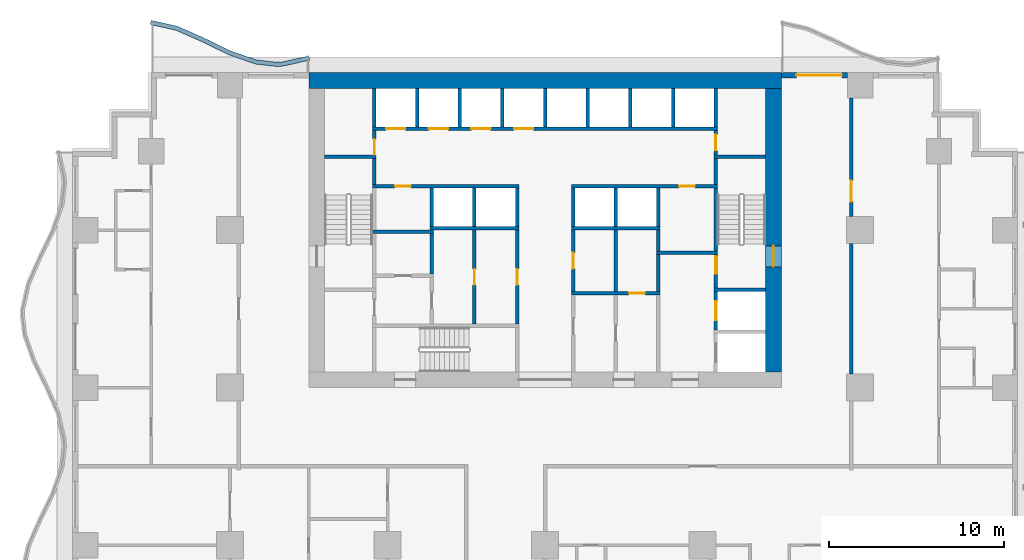
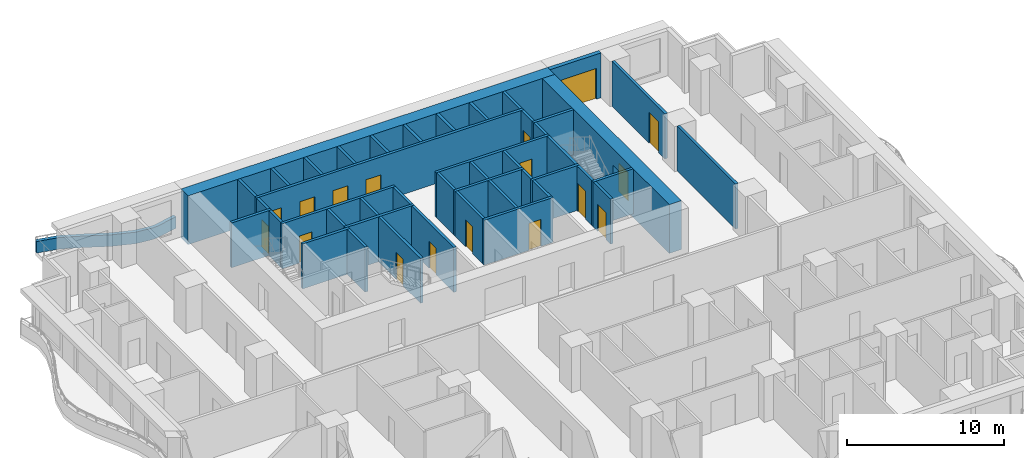
# One storey, part 6 of 14: 46 walls, 17 doors, 17 openings.
"""IFC4 building model written with IfcOpenShell, lengths in metres."""

from ifc_helpers import new_model, si_unit, direction, frame, frame_2d, origin, place, context, subcontext, project, spatial, polyline, rectangle, outline, extrude, material, layer, layer_set, type_object, element, fill, save


model = new_model("IFC4")

# Units and contexts
model_context = context("Model", 3, precision=1e-05, world=origin(), true_north=direction((0.0, 1.0)))
body_context = subcontext(model_context, "Body", "Model", "MODEL_VIEW")
ifc_project = project(units=[si_unit("LENGTHUNIT", "METRE"), si_unit("AREAUNIT", "SQUARE_METRE"), si_unit("VOLUMEUNIT", "CUBIC_METRE"), si_unit("PLANEANGLEUNIT", "RADIAN"), si_unit("MASSUNIT", "GRAM", prefix="KILO")], contexts=[model_context])

# Site, building, storey
site_placement = place(None, origin())
site = spatial("IfcSite", under=ifc_project, at=site_placement, CompositionType="ELEMENT")
building_placement = place(site_placement, origin())
building = spatial("IfcBuilding", under=site, at=building_placement, Name="Orbiselva Terraces", CompositionType="ELEMENT")
storey_placement = place(building_placement, frame((0.0, 0.0, 34.0)))
storey = spatial("IfcBuildingStorey", under=building, at=storey_placement, Name="L08", CompositionType="ELEMENT", Elevation=34.0)

# Wall, opening, door
ifc_material_1 = material(Name="Concrete C80/95", Category="concrete")
ifc_layer_1 = layer(ifc_material_1, 0.9)
ifc_layer_set_1 = layer_set([ifc_layer_1], Name="Concrete C80/95")
wall_type_1 = type_object("IfcWallType", Name="CORE WALL 900", PredefinedType="SHEAR", material=ifc_layer_set_1)
wall_1_placement = place(storey_placement, frame((13.05, 5.4, -0.3), z_axis=(0.0, 0.0, 1.0), x_axis=(0.0, 1.0, 0.0)))
wall_1 = element("IfcWall", 1, at=wall_1_placement, inside=storey, type_object=wall_type_1, Name="Core wall L08 east", PredefinedType="SHEAR", context=body_context, shape_type="SweptSolid", body=[
    extrude(rectangle(XDim=16.2, YDim=0.9, at=frame_2d((8.1, 0.0))), origin(), (0.0, 0.0, 1.0), 3.8),
])
opening_1_placement = place(wall_1_placement, frame((6.0, 0.0, 0.3)))
opening_1 = element("IfcOpeningElement", 2, at=opening_1_placement, cuts=wall_1, Name="Opening DS1200", PredefinedType="OPENING", context=body_context, shape_type="SweptSolid", body=[
    extrude(rectangle(XDim=1.2, YDim=2.2, at=frame_2d((0.6, 1.1))), frame((0.0, 0.46, 0.0), z_axis=(0.0, -1.0, 0.0), x_axis=(1.0, 0.0, 0.0)), (0.0, 0.0, 1.0), 0.92),
])
ifc_material_2 = material(Name="Steel fire door", Category="steel")
door_type_1 = type_object("IfcDoorType", Name="STAIR DOOR 1200", OperationType="NOTDEFINED", PredefinedType="DOOR", material=ifc_material_2)
door_1_placement = place(opening_1_placement, frame((1.2, 0.0, 0.0), z_axis=(0.0, 0.0, 1.0), x_axis=(-1.0, 0.0, 0.0)))
door_1 = element("IfcDoor", 3, at=door_1_placement, inside=storey, type_object=door_type_1, Name="L08 EXIT STAIR S2 door", OperationType="SINGLE_SWING_LEFT", OverallHeight=2.2, OverallWidth=1.2, PredefinedType="DOOR", context=body_context, shape_type="SweptSolid", body=[
    extrude(rectangle(XDim=1.2, YDim=2.2, at=frame_2d((0.6, 1.1))), frame((0.0, 0.025, 0.0), z_axis=(0.0, -1.0, 0.0), x_axis=(1.0, 0.0, 0.0)), (0.0, 0.0, 1.0), 0.05),
])
fill(opening_1, door_1)

# Wall
ifc_layer_2 = layer(ifc_material_1, 0.9)
ifc_layer_set_2 = layer_set([ifc_layer_2], Name="Concrete C80/95")
wall_type_2 = type_object("IfcWallType", Name="CORE WALL 900 EXTERNAL", PredefinedType="SHEAR", material=ifc_layer_set_2)
wall_2_placement = place(storey_placement, frame((13.5, 22.05, -0.3), z_axis=(0.0, 0.0, 1.0), x_axis=(-1.0, 0.0, 0.0)))
element("IfcWall", 4, at=wall_2_placement, inside=storey, type_object=wall_type_2, Name="Core wall L08 north", PredefinedType="SHEAR", context=body_context, shape_type="SweptSolid", body=[
    extrude(rectangle(XDim=27.0, YDim=0.9, at=frame_2d((13.5, 0.0))), origin(), (0.0, 0.0, 1.0), 3.8),
])

# Wall, opening, door
ifc_material_3 = material(Name="Masonry blockwork", Category="masonry")
ifc_layer_3 = layer(ifc_material_3, 0.2)
ifc_layer_set_3 = layer_set([ifc_layer_3], Name="Masonry blockwork")
wall_type_3 = type_object("IfcWallType", Name="CORE-WALL-PARTITION-200", PredefinedType="PARTITIONING", material=ifc_layer_set_3)
wall_3_placement = place(storey_placement, frame((-9.75, 17.8, 0.0), z_axis=(0.0, 0.0, 1.0), x_axis=(0.0, 1.0, 0.0)))
wall_3 = element("IfcWall", 5, at=wall_3_placement, inside=storey, type_object=wall_type_3, Name="L08 core wall 13", PredefinedType="PARTITIONING", context=body_context, shape_type="SweptSolid", body=[
    extrude(rectangle(XDim=1.4, YDim=0.2, at=frame_2d((0.7, 0.0))), origin(), (0.0, 0.0, 1.0), 3.5),
])
opening_2_placement = place(wall_3_placement, origin())
opening_2 = element("IfcOpeningElement", 6, at=opening_2_placement, cuts=wall_3, Name="Opening DR900", PredefinedType="OPENING", context=body_context, shape_type="SweptSolid", body=[
    extrude(rectangle(XDim=0.9, YDim=2.1, at=frame_2d((0.45, 1.05))), frame((0.0, 0.11, 0.0), z_axis=(0.0, -1.0, 0.0), x_axis=(1.0, 0.0, 0.0)), (0.0, 0.0, 1.0), 0.22),
])
door_type_2 = type_object("IfcDoorType", Name="ROOM DOOR 900", OperationType="NOTDEFINED", PredefinedType="DOOR", material=ifc_material_2)
door_2_placement = place(opening_2_placement, origin())
door_2 = element("IfcDoor", 7, at=door_2_placement, inside=storey, type_object=door_type_2, Name="L08 COMMS RISER ROOM door", OperationType="SINGLE_SWING_LEFT", OverallHeight=2.1, OverallWidth=0.9, PredefinedType="DOOR", context=body_context, shape_type="SweptSolid", body=[
    extrude(rectangle(XDim=0.9, YDim=2.1, at=frame_2d((0.45, 1.05))), frame((0.0, 0.025, 0.0), z_axis=(0.0, -1.0, 0.0), x_axis=(1.0, 0.0, 0.0)), (0.0, 0.0, 1.0), 0.05),
])
fill(opening_2, door_2)

# Wall
wall_4_placement = place(storey_placement, frame((-6.475, 11.0, 0.0), z_axis=(0.0, 0.0, 1.0), x_axis=(0.0, 1.0, 0.0)))
element("IfcWall", 8, at=wall_4_placement, inside=storey, type_object=wall_type_3, Name="L08 core wall 18", PredefinedType="PARTITIONING", context=body_context, shape_type="SweptSolid", body=[
    extrude(rectangle(XDim=2.3, YDim=0.2, at=frame_2d((1.15, 0.0))), origin(), (0.0, 0.0, 1.0), 3.5),
])

# Wall, opening, door
wall_5_placement = place(storey_placement, frame((-4.0375, 8.15, 0.0), z_axis=(0.0, 0.0, 1.0), x_axis=(0.0, 1.0, 0.0)))
wall_5 = element("IfcWall", 9, at=wall_5_placement, inside=storey, type_object=wall_type_3, Name="L08 core wall 22", PredefinedType="PARTITIONING", context=body_context, shape_type="SweptSolid", body=[
    extrude(rectangle(XDim=5.35, YDim=0.2, at=frame_2d((2.675, 0.0))), origin(), (0.0, 0.0, 1.0), 3.5),
])
opening_3_placement = place(wall_5_placement, frame((2.225, 0.0, 0.0)))
opening_3 = element("IfcOpeningElement", 10, at=opening_3_placement, cuts=wall_5, Name="Opening DR900", PredefinedType="OPENING", context=body_context, shape_type="SweptSolid", body=[
    extrude(rectangle(XDim=0.9, YDim=2.1, at=frame_2d((0.45, 1.05))), frame((0.0, 0.11, 0.0), z_axis=(0.0, -1.0, 0.0), x_axis=(1.0, 0.0, 0.0)), (0.0, 0.0, 1.0), 0.22),
])
door_3_placement = place(opening_3_placement, origin())
door_3 = element("IfcDoor", 11, at=door_3_placement, inside=storey, type_object=door_type_2, Name="L08 BUILDING STORE door", OperationType="SINGLE_SWING_RIGHT", OverallHeight=2.1, OverallWidth=0.9, PredefinedType="DOOR", context=body_context, shape_type="SweptSolid", body=[
    extrude(rectangle(XDim=0.9, YDim=2.1, at=frame_2d((0.45, 1.05))), frame((0.0, 0.025, 0.0), z_axis=(0.0, -1.0, 0.0), x_axis=(1.0, 0.0, 0.0)), (0.0, 0.0, 1.0), 0.05),
])
fill(opening_3, door_3)

# Walls
wall_6_placement = place(storey_placement, frame((4.0375, 10.0, 0.0), z_axis=(0.0, 0.0, 1.0), x_axis=(0.0, 1.0, 0.0)))
element("IfcWall", 12, at=wall_6_placement, inside=storey, type_object=wall_type_3, Name="L08 core wall 37", PredefinedType="PARTITIONING", context=body_context, shape_type="SweptSolid", body=[
    extrude(rectangle(XDim=3.5, YDim=0.2, at=frame_2d((1.75, 0.0))), origin(), (0.0, 0.0, 1.0), 3.5),
])
wall_7_placement = place(storey_placement, frame((6.475, 12.3, 0.0), z_axis=(0.0, 0.0, 1.0), x_axis=(0.0, 1.0, 0.0)))
element("IfcWall", 13, at=wall_7_placement, inside=storey, type_object=wall_type_3, Name="L08 core wall 43", PredefinedType="PARTITIONING", context=body_context, shape_type="SweptSolid", body=[
    extrude(rectangle(XDim=1.2, YDim=0.2, at=frame_2d((0.6, 0.0))), origin(), (0.0, 0.0, 1.0), 3.5),
])

# Wall, opening, door
wall_8_placement = place(storey_placement, frame((9.75, 19.2, 0.0), z_axis=(0.0, 0.0, 1.0), x_axis=(0.0, -1.0, 0.0)))
wall_8 = element("IfcWall", 14, at=wall_8_placement, inside=storey, type_object=wall_type_3, Name="L08 core wall 54", PredefinedType="PARTITIONING", context=body_context, shape_type="SweptSolid", body=[
    extrude(rectangle(XDim=1.4, YDim=0.2, at=frame_2d((0.7, 0.0))), origin(), (0.0, 0.0, 1.0), 3.5),
])
opening_4_placement = place(wall_8_placement, frame((0.25, 0.0, 0.0)))
opening_4 = element("IfcOpeningElement", 15, at=opening_4_placement, cuts=wall_8, Name="Opening DR900", PredefinedType="OPENING", context=body_context, shape_type="SweptSolid", body=[
    extrude(rectangle(XDim=0.9, YDim=2.1, at=frame_2d((0.45, 1.05))), frame((0.0, 0.11, 0.0), z_axis=(0.0, -1.0, 0.0), x_axis=(1.0, 0.0, 0.0)), (0.0, 0.0, 1.0), 0.22),
])
door_4_placement = place(opening_4_placement, origin())
door_4 = element("IfcDoor", 16, at=door_4_placement, inside=storey, type_object=door_type_2, Name="L08 ELECTRICAL RISER ROOM door", OperationType="SINGLE_SWING_RIGHT", OverallHeight=2.1, OverallWidth=0.9, PredefinedType="DOOR", context=body_context, shape_type="SweptSolid", body=[
    extrude(rectangle(XDim=0.9, YDim=2.1, at=frame_2d((0.45, 1.05))), frame((0.0, 0.025, 0.0), z_axis=(0.0, -1.0, 0.0), x_axis=(1.0, 0.0, 0.0)), (0.0, 0.0, 1.0), 0.05),
])
fill(opening_4, door_4)

# Walls
ifc_material_4 = material(Name="Concrete C40/50", Category="concrete")
ifc_layer_4 = layer(ifc_material_4, 0.2)
ifc_layer_set_4 = layer_set([ifc_layer_4], Name="Concrete C40/50")
wall_type_4 = type_object("IfcWallType", Name="CORE-WALL-SHAFT-200", PredefinedType="PARTITIONING", material=ifc_layer_set_4)
for number, where, z_axis, x_axis, name in (
    (17, (-9.75, 19.4, 0.0), (0.0, 0.0, 1.0), (0.0, 1.0, 0.0), "L08 core wall 15"),
    (18, (-7.3125, 19.4, 0.0), (0.0, 0.0, 1.0), (0.0, 1.0, 0.0), "L08 core wall 16"),
    (19, (-6.475, 13.7, 0.0), (0.0, 0.0, 1.0), (0.0, 1.0, 0.0), "L08 core wall 20"),
    (20, (-4.875, 19.4, 0.0), (0.0, 0.0, 1.0), (0.0, 1.0, 0.0), "L08 core wall 21"),
    (21, (-4.0375, 13.7, 0.0), (0.0, 0.0, 1.0), (0.0, 1.0, 0.0), "L08 core wall 23"),
    (22, (-2.4375, 19.4, 0.0), (0.0, 0.0, 1.0), (0.0, 1.0, 0.0), "L08 core wall 24"),
    (23, (-1.6, 13.7, 0.0), (0.0, 0.0, 1.0), (0.0, 1.0, 0.0), "L08 core wall 27"),
    (24, (0.0, 19.4, 0.0), (0.0, 0.0, 1.0), (0.0, 1.0, 0.0), "L08 core wall 28"),
    (25, (1.6, 13.7, 0.0), (0.0, 0.0, 1.0), (0.0, 1.0, 0.0), "L08 core wall 33"),
    (26, (2.4375, 19.4, 0.0), (0.0, 0.0, 1.0), (0.0, 1.0, 0.0), "L08 core wall 35"),
    (27, (4.0375, 13.7, 0.0), (0.0, 0.0, 1.0), (0.0, 1.0, 0.0), "L08 core wall 38"),
    (28, (4.875, 19.4, 0.0), (0.0, 0.0, 1.0), (0.0, 1.0, 0.0), "L08 core wall 39"),
    (29, (6.475, 13.7, 0.0), (0.0, 0.0, 1.0), (0.0, 1.0, 0.0), "L08 core wall 44"),
    (30, (7.3125, 19.4, 0.0), (0.0, 0.0, 1.0), (0.0, 1.0, 0.0), "L08 core wall 45"),
    (31, (9.75, 19.4, 0.0), (0.0, 0.0, 1.0), (0.0, 1.0, 0.0), "L08 core wall 55"),
):
    element("IfcWall", number, at=place(storey_placement, frame(where, z_axis=z_axis, x_axis=x_axis)), inside=storey, type_object=wall_type_4, Name=name, PredefinedType="PARTITIONING", context=body_context, shape_type="SweptSolid", body=[
        extrude(rectangle(XDim=2.2, YDim=0.2, at=frame_2d((1.1, 0.0))), origin(), (0.0, 0.0, 1.0), 3.5),
    ])
ifc_material_5 = material(Name="Concrete C60/75", Category="concrete")
ifc_layer_5 = layer(ifc_material_5, 0.2)
ifc_layer_set_5 = layer_set([ifc_layer_5], Name="Concrete C60/75")
wall_type_5 = type_object("IfcWallType", Name="CORE-WALL-SHEAR-200", PredefinedType="SHEAR", material=ifc_layer_set_5)
wall_9_placement = place(storey_placement, frame((-12.6, 17.7, 0.0), z_axis=(0.0, 0.0, 1.0), x_axis=(1.0, 0.0, 0.0)))
element("IfcWall", 32, at=wall_9_placement, inside=storey, type_object=wall_type_5, Name="L08 core wall 02", PredefinedType="SHEAR", context=body_context, shape_type="SweptSolid", body=[
    extrude(rectangle(XDim=2.95, YDim=0.2, at=frame_2d((1.475, 0.0))), origin(), (0.0, 0.0, 1.0), 3.5),
])
wall_10_placement = place(storey_placement, frame((-9.85, 13.4, 0.0), z_axis=(0.0, 0.0, 1.0), x_axis=(1.0, 0.0, 0.0)))
element("IfcWall", 33, at=wall_10_placement, inside=storey, type_object=wall_type_5, Name="L08 core wall 09", PredefinedType="SHEAR", context=body_context, shape_type="SweptSolid", body=[
    extrude(rectangle(XDim=3.475, YDim=0.2, at=frame_2d((1.7375, 0.0))), origin(), (0.0, 0.0, 1.0), 3.5),
])

# Wall, opening, door
wall_11_placement = place(storey_placement, frame((-1.5, 16.0, 0.0), z_axis=(0.0, 0.0, 1.0), x_axis=(-1.0, 0.0, 0.0)))
wall_11 = element("IfcWall", 34, at=wall_11_placement, inside=storey, type_object=wall_type_5, Name="L08 core wall 11", PredefinedType="SHEAR", context=body_context, shape_type="SweptSolid", body=[
    extrude(rectangle(XDim=8.35, YDim=0.2, at=frame_2d((4.175, 0.0))), origin(), (0.0, 0.0, 1.0), 3.5),
])
opening_5_placement = place(wall_11_placement, frame((6.1625, 0.0, 0.0)))
opening_5 = element("IfcOpeningElement", 35, at=opening_5_placement, cuts=wall_11, Name="Opening DR900", PredefinedType="OPENING", context=body_context, shape_type="SweptSolid", body=[
    extrude(rectangle(XDim=0.9, YDim=2.1, at=frame_2d((0.45, 1.05))), frame((0.0, 0.11, 0.0), z_axis=(0.0, -1.0, 0.0), x_axis=(1.0, 0.0, 0.0)), (0.0, 0.0, 1.0), 0.22),
])
door_5_placement = place(opening_5_placement, origin())
door_5 = element("IfcDoor", 36, at=door_5_placement, inside=storey, type_object=door_type_2, Name="L08 STAFF PANTRY door", OperationType="SINGLE_SWING_RIGHT", OverallHeight=2.1, OverallWidth=0.9, PredefinedType="DOOR", context=body_context, shape_type="SweptSolid", body=[
    extrude(rectangle(XDim=0.9, YDim=2.1, at=frame_2d((0.45, 1.05))), frame((0.0, 0.025, 0.0), z_axis=(0.0, -1.0, 0.0), x_axis=(1.0, 0.0, 0.0)), (0.0, 0.0, 1.0), 0.05),
])
fill(opening_5, door_5)

# Wall
wall_12_placement = place(storey_placement, frame((-9.75, 16.1, 0.0), z_axis=(0.0, 0.0, 1.0), x_axis=(0.0, 1.0, 0.0)))
element("IfcWall", 37, at=wall_12_placement, inside=storey, type_object=wall_type_5, Name="L08 core wall 12", PredefinedType="SHEAR", context=body_context, shape_type="SweptSolid", body=[
    extrude(rectangle(XDim=1.5, YDim=0.2, at=frame_2d((0.75, 0.0))), origin(), (0.0, 0.0, 1.0), 3.5),
])

# Wall, openings, doors
wall_13_placement = place(storey_placement, frame((-9.85, 19.3, 0.0), z_axis=(0.0, 0.0, 1.0), x_axis=(1.0, 0.0, 0.0)))
wall_13 = element("IfcWall", 38, at=wall_13_placement, inside=storey, type_object=wall_type_5, Name="L08 core wall 14", PredefinedType="SHEAR", context=body_context, shape_type="SweptSolid", body=[
    extrude(rectangle(XDim=19.7, YDim=0.2, at=frame_2d((9.85, 0.0))), origin(), (0.0, 0.0, 1.0), 3.5),
])
opening_6_placement = place(wall_13_placement, frame((0.76875, 0.0, 0.0)))
opening_6 = element("IfcOpeningElement", 39, at=opening_6_placement, cuts=wall_13, Name="Opening LD-LR1", PredefinedType="OPENING", context=body_context, shape_type="SweptSolid", body=[
    extrude(rectangle(XDim=1.1, YDim=2.1, at=frame_2d((0.55, 1.05))), frame((0.0, 0.11, 0.0), z_axis=(0.0, -1.0, 0.0), x_axis=(1.0, 0.0, 0.0)), (0.0, 0.0, 1.0), 0.22),
])
opening_7_placement = place(wall_13_placement, frame((3.20625, 0.0, 0.0)))
opening_7 = element("IfcOpeningElement", 40, at=opening_7_placement, cuts=wall_13, Name="Opening LD-LR2", PredefinedType="OPENING", context=body_context, shape_type="SweptSolid", body=[
    extrude(rectangle(XDim=1.1, YDim=2.1, at=frame_2d((0.55, 1.05))), frame((0.0, 0.11, 0.0), z_axis=(0.0, -1.0, 0.0), x_axis=(1.0, 0.0, 0.0)), (0.0, 0.0, 1.0), 0.22),
])
opening_8_placement = place(wall_13_placement, frame((5.64375, 0.0, 0.0)))
opening_8 = element("IfcOpeningElement", 41, at=opening_8_placement, cuts=wall_13, Name="Opening LD-LR3", PredefinedType="OPENING", context=body_context, shape_type="SweptSolid", body=[
    extrude(rectangle(XDim=1.1, YDim=2.1, at=frame_2d((0.55, 1.05))), frame((0.0, 0.11, 0.0), z_axis=(0.0, -1.0, 0.0), x_axis=(1.0, 0.0, 0.0)), (0.0, 0.0, 1.0), 0.22),
])
opening_9_placement = place(wall_13_placement, frame((8.08125, 0.0, 0.0)))
opening_9 = element("IfcOpeningElement", 42, at=opening_9_placement, cuts=wall_13, Name="Opening LD-LR4", PredefinedType="OPENING", context=body_context, shape_type="SweptSolid", body=[
    extrude(rectangle(XDim=1.1, YDim=2.1, at=frame_2d((0.55, 1.05))), frame((0.0, 0.11, 0.0), z_axis=(0.0, -1.0, 0.0), x_axis=(1.0, 0.0, 0.0)), (0.0, 0.0, 1.0), 0.22),
])
ifc_material_6 = material(Name="Stainless steel landing door", Category="steel")
door_type_3 = type_object("IfcDoorType", Name="LANDING DOOR 1100", OperationType="SLIDING_TO_LEFT", PredefinedType="DOOR", material=ifc_material_6)
door_6_placement = place(opening_6_placement, origin())
door_6 = element("IfcDoor", 43, at=door_6_placement, inside=storey, type_object=door_type_3, Name="L08 landing door LR1", OperationType="SLIDING_TO_LEFT", OverallHeight=2.1, OverallWidth=1.1, PredefinedType="DOOR", context=body_context, shape_type="SweptSolid", body=[
    extrude(rectangle(XDim=1.1, YDim=2.1, at=frame_2d((0.55, 1.05))), frame((0.0, 0.025, 0.0), z_axis=(0.0, -1.0, 0.0), x_axis=(1.0, 0.0, 0.0)), (0.0, 0.0, 1.0), 0.05),
])
fill(opening_6, door_6)
door_7_placement = place(opening_7_placement, origin())
door_7 = element("IfcDoor", 44, at=door_7_placement, inside=storey, type_object=door_type_3, Name="L08 landing door LR2", OperationType="SLIDING_TO_LEFT", OverallHeight=2.1, OverallWidth=1.1, PredefinedType="DOOR", context=body_context, shape_type="SweptSolid", body=[
    extrude(rectangle(XDim=1.1, YDim=2.1, at=frame_2d((0.55, 1.05))), frame((0.0, 0.025, 0.0), z_axis=(0.0, -1.0, 0.0), x_axis=(1.0, 0.0, 0.0)), (0.0, 0.0, 1.0), 0.05),
])
fill(opening_7, door_7)
door_8_placement = place(opening_8_placement, origin())
door_8 = element("IfcDoor", 45, at=door_8_placement, inside=storey, type_object=door_type_3, Name="L08 landing door LR3", OperationType="SLIDING_TO_LEFT", OverallHeight=2.1, OverallWidth=1.1, PredefinedType="DOOR", context=body_context, shape_type="SweptSolid", body=[
    extrude(rectangle(XDim=1.1, YDim=2.1, at=frame_2d((0.55, 1.05))), frame((0.0, 0.025, 0.0), z_axis=(0.0, -1.0, 0.0), x_axis=(1.0, 0.0, 0.0)), (0.0, 0.0, 1.0), 0.05),
])
fill(opening_8, door_8)
door_9_placement = place(opening_9_placement, origin())
door_9 = element("IfcDoor", 46, at=door_9_placement, inside=storey, type_object=door_type_3, Name="L08 landing door LR4", OperationType="SLIDING_TO_LEFT", OverallHeight=2.1, OverallWidth=1.1, PredefinedType="DOOR", context=body_context, shape_type="SweptSolid", body=[
    extrude(rectangle(XDim=1.1, YDim=2.1, at=frame_2d((0.55, 1.05))), frame((0.0, 0.025, 0.0), z_axis=(0.0, -1.0, 0.0), x_axis=(1.0, 0.0, 0.0)), (0.0, 0.0, 1.0), 0.05),
])
fill(opening_9, door_9)

# Wall
wall_14_placement = place(storey_placement, frame((-6.575, 13.6, 0.0), z_axis=(0.0, 0.0, 1.0), x_axis=(1.0, 0.0, 0.0)))
element("IfcWall", 47, at=wall_14_placement, inside=storey, type_object=wall_type_5, Name="L08 core wall 19", PredefinedType="SHEAR", context=body_context, shape_type="SweptSolid", body=[
    extrude(rectangle(XDim=5.075, YDim=0.2, at=frame_2d((2.5375, 0.0))), origin(), (0.0, 0.0, 1.0), 3.5),
])

# Wall, opening, door
wall_15_placement = place(storey_placement, frame((-1.6, 8.15, 0.0), z_axis=(0.0, 0.0, 1.0), x_axis=(0.0, 1.0, 0.0)))
wall_15 = element("IfcWall", 48, at=wall_15_placement, inside=storey, type_object=wall_type_5, Name="L08 core wall 26", PredefinedType="SHEAR", context=body_context, shape_type="SweptSolid", body=[
    extrude(rectangle(XDim=5.35, YDim=0.2, at=frame_2d((2.675, 0.0))), origin(), (0.0, 0.0, 1.0), 3.5),
])
opening_10_placement = place(wall_15_placement, frame((2.225, 0.0, 0.0)))
opening_10 = element("IfcOpeningElement", 49, at=opening_10_placement, cuts=wall_15, Name="Opening DR900", PredefinedType="OPENING", context=body_context, shape_type="SweptSolid", body=[
    extrude(rectangle(XDim=0.9, YDim=2.1, at=frame_2d((0.45, 1.05))), frame((0.0, 0.11, 0.0), z_axis=(0.0, -1.0, 0.0), x_axis=(1.0, 0.0, 0.0)), (0.0, 0.0, 1.0), 0.22),
])
door_10_placement = place(opening_10_placement, origin())
door_10 = element("IfcDoor", 50, at=door_10_placement, inside=storey, type_object=door_type_2, Name="L08 GUEST PANTRY door", OperationType="SINGLE_SWING_RIGHT", OverallHeight=2.1, OverallWidth=0.9, PredefinedType="DOOR", context=body_context, shape_type="SweptSolid", body=[
    extrude(rectangle(XDim=0.9, YDim=2.1, at=frame_2d((0.45, 1.05))), frame((0.0, 0.025, 0.0), z_axis=(0.0, -1.0, 0.0), x_axis=(1.0, 0.0, 0.0)), (0.0, 0.0, 1.0), 0.05),
])
fill(opening_10, door_10)

wall_16_placement = place(storey_placement, frame((1.5, 9.9, 0.0), z_axis=(0.0, 0.0, 1.0), x_axis=(1.0, 0.0, 0.0)))
wall_16 = element("IfcWall", 51, at=wall_16_placement, inside=storey, type_object=wall_type_5, Name="L08 core wall 30", PredefinedType="SHEAR", context=body_context, shape_type="SweptSolid", body=[
    extrude(rectangle(XDim=5.075, YDim=0.2, at=frame_2d((2.5375, 0.0))), origin(), (0.0, 0.0, 1.0), 3.5),
])
opening_11_placement = place(wall_16_placement, frame((3.3062, 0.0, 0.0)))
opening_11 = element("IfcOpeningElement", 52, at=opening_11_placement, cuts=wall_16, Name="Opening DR900", PredefinedType="OPENING", context=body_context, shape_type="SweptSolid", body=[
    extrude(rectangle(XDim=0.9, YDim=2.1, at=frame_2d((0.45, 1.05))), frame((0.0, 0.11, 0.0), z_axis=(0.0, -1.0, 0.0), x_axis=(1.0, 0.0, 0.0)), (0.0, 0.0, 1.0), 0.22),
])
door_11_placement = place(opening_11_placement, origin())
door_11 = element("IfcDoor", 53, at=door_11_placement, inside=storey, type_object=door_type_2, Name="L08 LINEN STORE door", OperationType="SINGLE_SWING_RIGHT", OverallHeight=2.1, OverallWidth=0.9, PredefinedType="DOOR", context=body_context, shape_type="SweptSolid", body=[
    extrude(rectangle(XDim=0.9, YDim=2.1, at=frame_2d((0.45, 1.05))), frame((0.0, 0.025, 0.0), z_axis=(0.0, -1.0, 0.0), x_axis=(1.0, 0.0, 0.0)), (0.0, 0.0, 1.0), 0.05),
])
fill(opening_11, door_11)

wall_17_placement = place(storey_placement, frame((1.6, 13.5, 0.0), z_axis=(0.0, 0.0, 1.0), x_axis=(0.0, -1.0, 0.0)))
wall_17 = element("IfcWall", 54, at=wall_17_placement, inside=storey, type_object=wall_type_5, Name="L08 core wall 31", PredefinedType="SHEAR", context=body_context, shape_type="SweptSolid", body=[
    extrude(rectangle(XDim=3.5, YDim=0.2, at=frame_2d((1.75, 0.0))), origin(), (0.0, 0.0, 1.0), 3.5),
])
opening_12_placement = place(wall_17_placement, frame((1.3, 0.0, 0.0)))
opening_12 = element("IfcOpeningElement", 55, at=opening_12_placement, cuts=wall_17, Name="Opening DR900", PredefinedType="OPENING", context=body_context, shape_type="SweptSolid", body=[
    extrude(rectangle(XDim=0.9, YDim=2.1, at=frame_2d((0.45, 1.05))), frame((0.0, 0.11, 0.0), z_axis=(0.0, -1.0, 0.0), x_axis=(1.0, 0.0, 0.0)), (0.0, 0.0, 1.0), 0.22),
])
door_12_placement = place(opening_12_placement, origin())
door_12 = element("IfcDoor", 56, at=door_12_placement, inside=storey, type_object=door_type_2, Name="L08 COMMS ROOM door", OperationType="SINGLE_SWING_RIGHT", OverallHeight=2.1, OverallWidth=0.9, PredefinedType="DOOR", context=body_context, shape_type="SweptSolid", body=[
    extrude(rectangle(XDim=0.9, YDim=2.1, at=frame_2d((0.45, 1.05))), frame((0.0, 0.025, 0.0), z_axis=(0.0, -1.0, 0.0), x_axis=(1.0, 0.0, 0.0)), (0.0, 0.0, 1.0), 0.05),
])
fill(opening_12, door_12)

# Wall
wall_18_placement = place(storey_placement, frame((1.5, 13.6, 0.0), z_axis=(0.0, 0.0, 1.0), x_axis=(1.0, 0.0, 0.0)))
element("IfcWall", 57, at=wall_18_placement, inside=storey, type_object=wall_type_5, Name="L08 core wall 32", PredefinedType="SHEAR", context=body_context, shape_type="SweptSolid", body=[
    extrude(rectangle(XDim=5.075, YDim=0.2, at=frame_2d((2.5375, 0.0))), origin(), (0.0, 0.0, 1.0), 3.5),
])

# Wall, opening, door
wall_19_placement = place(storey_placement, frame((9.85, 16.0, 0.0), z_axis=(0.0, 0.0, 1.0), x_axis=(-1.0, 0.0, 0.0)))
wall_19 = element("IfcWall", 58, at=wall_19_placement, inside=storey, type_object=wall_type_5, Name="L08 core wall 34", PredefinedType="SHEAR", context=body_context, shape_type="SweptSolid", body=[
    extrude(rectangle(XDim=8.35, YDim=0.2, at=frame_2d((4.175, 0.0))), origin(), (0.0, 0.0, 1.0), 3.5),
])
opening_13_placement = place(wall_19_placement, frame((1.2875, 0.0, 0.0)))
opening_13 = element("IfcOpeningElement", 59, at=opening_13_placement, cuts=wall_19, Name="Opening DR900", PredefinedType="OPENING", context=body_context, shape_type="SweptSolid", body=[
    extrude(rectangle(XDim=0.9, YDim=2.1, at=frame_2d((0.45, 1.05))), frame((0.0, 0.11, 0.0), z_axis=(0.0, -1.0, 0.0), x_axis=(1.0, 0.0, 0.0)), (0.0, 0.0, 1.0), 0.22),
])
door_13_placement = place(opening_13_placement, origin())
door_13 = element("IfcDoor", 60, at=door_13_placement, inside=storey, type_object=door_type_2, Name="L08 PIPE RISER ROOM door", OperationType="SINGLE_SWING_LEFT", OverallHeight=2.1, OverallWidth=0.9, PredefinedType="DOOR", context=body_context, shape_type="SweptSolid", body=[
    extrude(rectangle(XDim=0.9, YDim=2.1, at=frame_2d((0.45, 1.05))), frame((0.0, 0.025, 0.0), z_axis=(0.0, -1.0, 0.0), x_axis=(1.0, 0.0, 0.0)), (0.0, 0.0, 1.0), 0.05),
])
fill(opening_13, door_13)

# Walls
wall_20_placement = place(storey_placement, frame((6.475, 10.0, 0.0), z_axis=(0.0, 0.0, 1.0), x_axis=(0.0, 1.0, 0.0)))
element("IfcWall", 61, at=wall_20_placement, inside=storey, type_object=wall_type_5, Name="L08 core wall 41", PredefinedType="SHEAR", context=body_context, shape_type="SweptSolid", body=[
    extrude(rectangle(XDim=2.1, YDim=0.2, at=frame_2d((1.05, 0.0))), origin(), (0.0, 0.0, 1.0), 3.5),
])
wall_21_placement = place(storey_placement, frame((6.375, 12.2, 0.0), z_axis=(0.0, 0.0, 1.0), x_axis=(1.0, 0.0, 0.0)))
element("IfcWall", 62, at=wall_21_placement, inside=storey, type_object=wall_type_5, Name="L08 core wall 42", PredefinedType="SHEAR", context=body_context, shape_type="SweptSolid", body=[
    extrude(rectangle(XDim=3.475, YDim=0.2, at=frame_2d((1.7375, 0.0))), origin(), (0.0, 0.0, 1.0), 3.5),
])

# Wall, opening, door
wall_22_placement = place(storey_placement, frame((9.75, 7.8, 0.0), z_axis=(0.0, 0.0, 1.0), x_axis=(0.0, 1.0, 0.0)))
wall_22 = element("IfcWall", 63, at=wall_22_placement, inside=storey, type_object=wall_type_5, Name="L08 core wall 48", PredefinedType="SHEAR", context=body_context, shape_type="SweptSolid", body=[
    extrude(rectangle(XDim=2.2, YDim=0.2, at=frame_2d((1.1, 0.0))), origin(), (0.0, 0.0, 1.0), 3.5),
])
opening_14_placement = place(wall_22_placement, frame((0.55, 0.0, 0.0)))
opening_14 = element("IfcOpeningElement", 64, at=opening_14_placement, cuts=wall_22, Name="Opening LD-FF2", PredefinedType="OPENING", context=body_context, shape_type="SweptSolid", body=[
    extrude(rectangle(XDim=1.1, YDim=2.1, at=frame_2d((0.55, 1.05))), frame((0.0, 0.11, 0.0), z_axis=(0.0, -1.0, 0.0), x_axis=(1.0, 0.0, 0.0)), (0.0, 0.0, 1.0), 0.22),
])
door_14_placement = place(opening_14_placement, origin())
door_14 = element("IfcDoor", 65, at=door_14_placement, inside=storey, type_object=door_type_3, Name="L08 landing door FF2", OperationType="SLIDING_TO_RIGHT", OverallHeight=2.1, OverallWidth=1.1, PredefinedType="DOOR", context=body_context, shape_type="SweptSolid", body=[
    extrude(rectangle(XDim=1.1, YDim=2.1, at=frame_2d((0.55, 1.05))), frame((0.0, 0.025, 0.0), z_axis=(0.0, -1.0, 0.0), x_axis=(1.0, 0.0, 0.0)), (0.0, 0.0, 1.0), 0.05),
])
fill(opening_14, door_14)

# Wall
wall_23_placement = place(storey_placement, frame((9.65, 10.1, 0.0), z_axis=(0.0, 0.0, 1.0), x_axis=(1.0, 0.0, 0.0)))
element("IfcWall", 66, at=wall_23_placement, inside=storey, type_object=wall_type_5, Name="L08 core wall 49", PredefinedType="SHEAR", context=body_context, shape_type="SweptSolid", body=[
    extrude(rectangle(XDim=2.95, YDim=0.2, at=frame_2d((1.475, 0.0))), origin(), (0.0, 0.0, 1.0), 3.5),
])

# Wall, opening, door
wall_24_placement = place(storey_placement, frame((9.75, 12.1, 0.0), z_axis=(0.0, 0.0, 1.0), x_axis=(0.0, -1.0, 0.0)))
wall_24 = element("IfcWall", 67, at=wall_24_placement, inside=storey, type_object=wall_type_5, Name="L08 core wall 50", PredefinedType="SHEAR", context=body_context, shape_type="SweptSolid", body=[
    extrude(rectangle(XDim=1.9, YDim=0.2, at=frame_2d((0.95, 0.0))), origin(), (0.0, 0.0, 1.0), 3.5),
])
opening_15_placement = place(wall_24_placement, frame((0.1, 0.0, 0.0)))
opening_15 = element("IfcOpeningElement", 68, at=opening_15_placement, cuts=wall_24, Name="Opening DS1000", PredefinedType="OPENING", context=body_context, shape_type="SweptSolid", body=[
    extrude(rectangle(XDim=1.0, YDim=2.2, at=frame_2d((0.5, 1.1))), frame((0.0, 0.11, 0.0), z_axis=(0.0, -1.0, 0.0), x_axis=(1.0, 0.0, 0.0)), (0.0, 0.0, 1.0), 0.22),
])
door_type_4 = type_object("IfcDoorType", Name="STAIR DOOR 1000", OperationType="NOTDEFINED", PredefinedType="DOOR", material=ifc_material_2)
door_15_placement = place(opening_15_placement, origin())
door_15 = element("IfcDoor", 69, at=door_15_placement, inside=storey, type_object=door_type_4, Name="L08 FIRE-FIGHTING LOBBY TO EXIT STAIR S2 door", OperationType="SINGLE_SWING_LEFT", OverallHeight=2.2, OverallWidth=1.0, PredefinedType="DOOR", context=body_context, shape_type="SweptSolid", body=[
    extrude(rectangle(XDim=1.0, YDim=2.2, at=frame_2d((0.5, 1.1))), frame((0.0, 0.025, 0.0), z_axis=(0.0, -1.0, 0.0), x_axis=(1.0, 0.0, 0.0)), (0.0, 0.0, 1.0), 0.05),
])
fill(opening_15, door_15)

# Walls
wall_25_placement = place(storey_placement, frame((9.75, 12.3, 0.0), z_axis=(0.0, 0.0, 1.0), x_axis=(0.0, 1.0, 0.0)))
element("IfcWall", 70, at=wall_25_placement, inside=storey, type_object=wall_type_5, Name="L08 core wall 51", PredefinedType="SHEAR", context=body_context, shape_type="SweptSolid", body=[
    extrude(rectangle(XDim=3.6, YDim=0.2, at=frame_2d((1.8, 0.0))), origin(), (0.0, 0.0, 1.0), 3.5),
])
wall_26_placement = place(storey_placement, frame((9.75, 16.1, 0.0), z_axis=(0.0, 0.0, 1.0), x_axis=(0.0, 1.0, 0.0)))
element("IfcWall", 71, at=wall_26_placement, inside=storey, type_object=wall_type_5, Name="L08 core wall 52", PredefinedType="SHEAR", context=body_context, shape_type="SweptSolid", body=[
    extrude(rectangle(XDim=1.5, YDim=0.2, at=frame_2d((0.75, 0.0))), origin(), (0.0, 0.0, 1.0), 3.5),
])
wall_27_placement = place(storey_placement, frame((9.65, 17.7, 0.0), z_axis=(0.0, 0.0, 1.0), x_axis=(1.0, 0.0, 0.0)))
element("IfcWall", 72, at=wall_27_placement, inside=storey, type_object=wall_type_5, Name="L08 core wall 53", PredefinedType="SHEAR", context=body_context, shape_type="SweptSolid", body=[
    extrude(rectangle(XDim=2.95, YDim=0.2, at=frame_2d((1.475, 0.0))), origin(), (0.0, 0.0, 1.0), 3.5),
])
ifc_layer_6 = layer(ifc_material_4, 0.25)
ifc_layer_set_6 = layer_set([ifc_layer_6], Name="Concrete C40/50")
wall_type_6 = type_object("IfcWallType", Name="ENV-PLANTER-250x900", PredefinedType="USERDEFINED", material=ifc_layer_set_6)
wall_28_placement = place(storey_placement, origin())
element("IfcWall", 73, at=wall_28_placement, inside=storey, type_object=wall_type_6, Name="Balcony planter L08 NW", ObjectType="PLANTER", PredefinedType="USERDEFINED", context=body_context, shape_type="SweptSolid", body=[
    extrude(outline(polyline([(-13.5, 23.451472), (-15.0, 23.114774), (-15.375, 23.1), (-16.5, 23.230792), (-18.0, 23.755211), (-19.5, 24.487721), (-21.0, 25.148528), (-22.5, 25.485226), (-22.554754, 25.241296), (-21.078508, 24.90993), (-19.605286, 24.260919), (-18.09644, 23.524089), (-16.556371, 22.985662), (-15.384572, 22.849429), (-14.967435, 22.865863), (-13.445246, 23.207542), (-13.5, 23.451472)])), origin(), (0.0, 0.0, 1.0), 0.9),
])

# Wall, opening, door
ifc_material_7 = material(Name="Terracotta cladding on masonry backing", Category="masonry")
ifc_layer_7 = layer(ifc_material_7, 0.3)
ifc_layer_set_7 = layer_set([ifc_layer_7], Name="Terracotta cladding on masonry backing")
wall_type_7 = type_object("IfcWallType", Name="ENV-WALL-TERRACOTTA-300", PredefinedType="SOLIDWALL", material=ifc_layer_set_7)
wall_29_placement = place(storey_placement, frame((13.5, 22.35, 0.0), z_axis=(0.0, 0.0, 1.0), x_axis=(1.0, 0.0, 0.0)))
wall_29 = element("IfcWall", 74, at=wall_29_placement, inside=storey, type_object=wall_type_7, Name="Facade wall L08 NE", PredefinedType="SOLIDWALL", context=body_context, shape_type="SweptSolid", body=[
    extrude(rectangle(XDim=3.775, YDim=0.3, at=frame_2d((1.8875, 0.0))), origin(), (0.0, 0.0, 1.0), 3.5),
])
opening_16_placement = place(wall_29_placement, frame((0.85, 0.0, 0.0)))
opening_16 = element("IfcOpeningElement", 75, at=opening_16_placement, cuts=wall_29, Name="Opening Z1-B-E21", PredefinedType="OPENING", context=body_context, shape_type="SweptSolid", body=[
    extrude(rectangle(XDim=2.6, YDim=2.4, at=frame_2d((1.3, 1.2))), frame((0.0, 0.16, 0.0), z_axis=(0.0, -1.0, 0.0), x_axis=(1.0, 0.0, 0.0)), (0.0, 0.0, 1.0), 0.32),
])
ifc_material_8 = material(Name="Clear low-e glazing in aluminium frame", Category="aluminium")
door_type_5 = type_object("IfcDoorType", Name="BALCONY DOOR 2600 X 2400", OperationType="DOUBLE_DOOR_SLIDING", PredefinedType="DOOR", material=ifc_material_8)
door_16_placement = place(opening_16_placement, origin())
door_16 = element("IfcDoor", 76, at=door_16_placement, inside=storey, type_object=door_type_5, Name="Z1-B-E21", OperationType="SINGLE_SWING_LEFT", OverallHeight=2.4, OverallWidth=2.6, PredefinedType="DOOR", context=body_context, shape_type="SweptSolid", body=[
    extrude(rectangle(XDim=2.6, YDim=2.4, at=frame_2d((1.3, 1.2))), frame((0.0, 0.025, 0.0), z_axis=(0.0, -1.0, 0.0), x_axis=(1.0, 0.0, 0.0)), (0.0, 0.0, 1.0), 0.05),
])
fill(opening_16, door_16)

# Wall
ifc_material_9 = material(Name="Plasterboard on steel stud partition", Category="steel")
ifc_layer_8 = layer(ifc_material_9, 0.2)
ifc_layer_set_8 = layer_set([ifc_layer_8], Name="Plasterboard on steel stud partition")
wall_type_8 = type_object("IfcWallType", Name="UNIT-ENTRANCE-WALL-200", PredefinedType="PARTITIONING", material=ifc_layer_set_8)
wall_30_placement = place(storey_placement, frame((17.5, 5.275, 0.0), z_axis=(0.0, 0.0, 1.0), x_axis=(0.0, 1.0, 0.0)))
element("IfcWall", 77, at=wall_30_placement, inside=storey, type_object=wall_type_8, Name="PARTITION L08-074", PredefinedType="PARTITIONING", context=body_context, shape_type="SweptSolid", body=[
    extrude(rectangle(XDim=7.45, YDim=0.2, at=frame_2d((3.725, 0.0))), origin(), (0.0, 0.0, 1.0), 3.5),
])

# Wall, opening, door
wall_31_placement = place(storey_placement, frame((17.5, 21.05, 0.0), z_axis=(0.0, 0.0, 1.0), x_axis=(0.0, -1.0, 0.0)))
wall_31 = element("IfcWall", 78, at=wall_31_placement, inside=storey, type_object=wall_type_8, Name="PARTITION L08-075", PredefinedType="PARTITIONING", context=body_context, shape_type="SweptSolid", body=[
    extrude(rectangle(XDim=6.775, YDim=0.2, at=frame_2d((3.3875, 0.0))), origin(), (0.0, 0.0, 1.0), 3.5),
])
opening_17_placement = place(wall_31_placement, frame((4.725, 0.0, 0.0)))
opening_17 = element("IfcOpeningElement", 79, at=opening_17_placement, cuts=wall_31, Name="Opening Z1-B-07", PredefinedType="OPENING", context=body_context, shape_type="SweptSolid", body=[
    extrude(rectangle(XDim=1.2, YDim=2.4, at=frame_2d((0.6, 1.2))), frame((0.0, 0.11, 0.0), z_axis=(0.0, -1.0, 0.0), x_axis=(1.0, 0.0, 0.0)), (0.0, 0.0, 1.0), 0.22),
])
ifc_material_10 = material(Name="Painted timber door leaf", Category="wood")
door_type_6 = type_object("IfcDoorType", Name="ENTRANCE DOOR 1200", OperationType="NOTDEFINED", PredefinedType="DOOR", material=ifc_material_10)
door_17_placement = place(opening_17_placement, origin())
door_17 = element("IfcDoor", 80, at=door_17_placement, inside=storey, type_object=door_type_6, Name="Z1-B-07", OperationType="SINGLE_SWING_RIGHT", OverallHeight=2.4, OverallWidth=1.2, PredefinedType="DOOR", context=body_context, shape_type="SweptSolid", body=[
    extrude(rectangle(XDim=1.2, YDim=2.4, at=frame_2d((0.6, 1.2))), frame((0.0, 0.025, 0.0), z_axis=(0.0, -1.0, 0.0), x_axis=(1.0, 0.0, 0.0)), (0.0, 0.0, 1.0), 0.05),
])
fill(opening_17, door_17)

save(model, "model.ifc")
